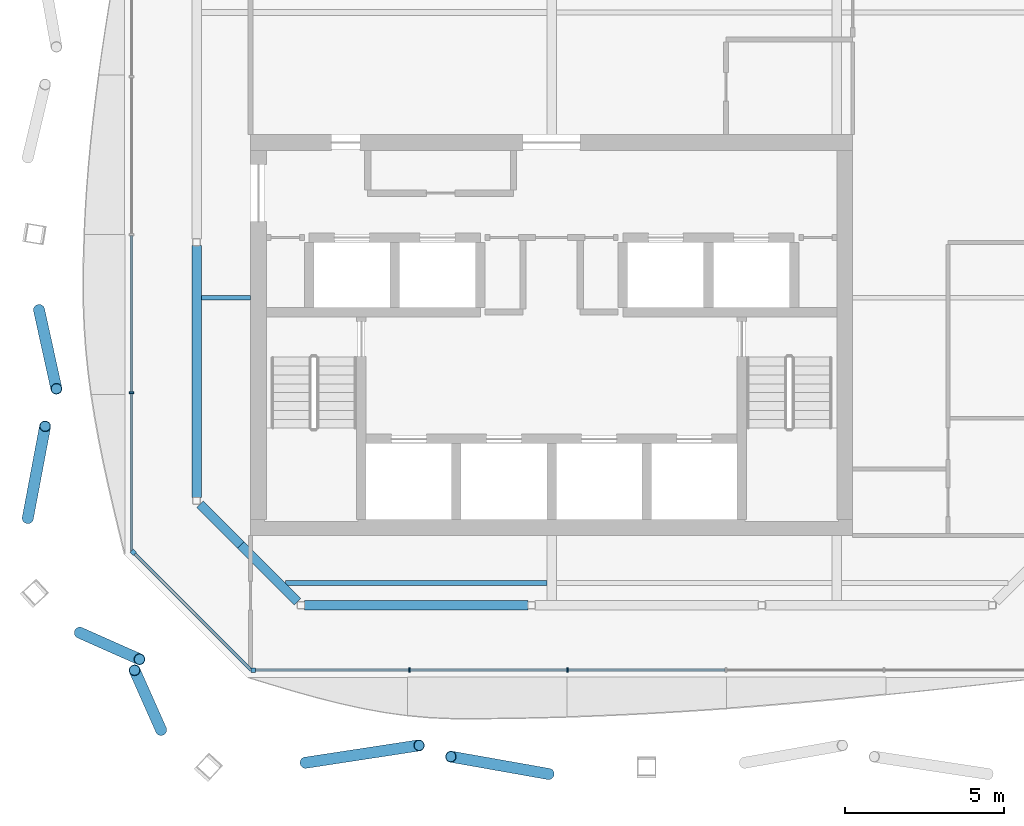
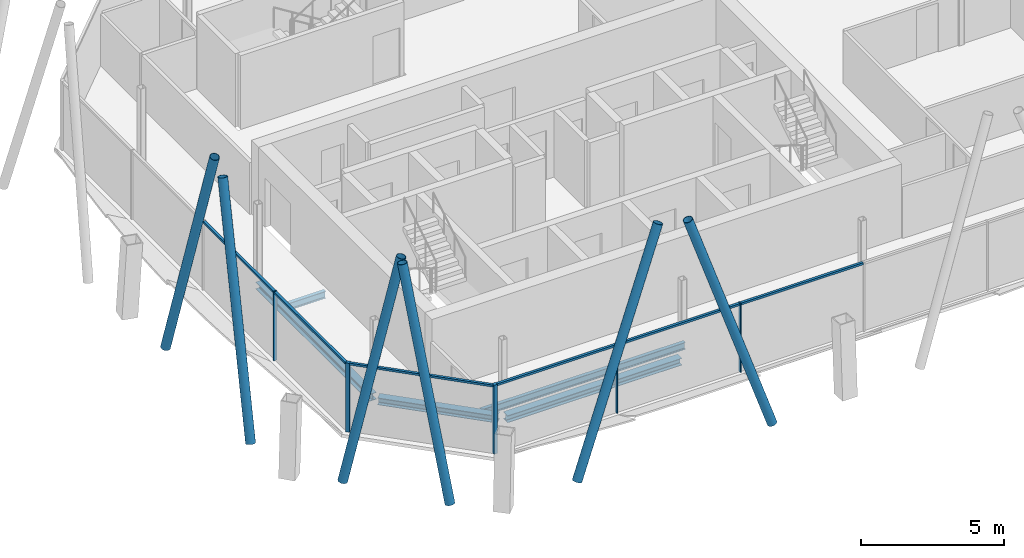
# One storey, part 3 of 14: 17 members, 6 beams, 3 elements without a shape of their own.
"""IFC4 building model written with IfcOpenShell, lengths in metres."""

from ifc_helpers import new_model, si_unit, direction, frame, origin, origin_2d, place, context, subcontext, project, spatial, rectangle, hollow_circle, i_section, extrude, material, material_profile, profile_set, type_object, element, aggregate, save


model = new_model("IFC4")

# Units and contexts
model_context = context("Model", 3, precision=1e-05, world=origin(), true_north=direction((0.0, 1.0)))
body_context = subcontext(model_context, "Body", "Model", "MODEL_VIEW")
ifc_project = project(units=[si_unit("LENGTHUNIT", "METRE"), si_unit("AREAUNIT", "SQUARE_METRE"), si_unit("VOLUMEUNIT", "CUBIC_METRE"), si_unit("PLANEANGLEUNIT", "RADIAN"), si_unit("MASSUNIT", "GRAM", prefix="KILO")], contexts=[model_context])

# Site, building, storey
site_placement = place(None, origin())
site = spatial("IfcSite", under=ifc_project, at=site_placement, CompositionType="ELEMENT")
building_placement = place(site_placement, origin())
building = spatial("IfcBuilding", under=site, at=building_placement, Name="Tskaro Facet Tower", CompositionType="ELEMENT")
storey_placement = place(building_placement, frame((0.0, 0.0, 268.949951171875)))
storey = spatial("IfcBuildingStorey", under=building, at=storey_placement, Name="L71", CompositionType="ELEMENT", Elevation=268.949951171875)

# Members
ifc_material_1 = material(Name="Steel S355J2H", Category="steel")
ifc_material_profile_1 = material_profile(ifc_material_1, hollow_circle(Radius=0.177734375, WallThickness=0.01611328125, at=origin_2d()), Name="CHS 355.6x16")
ifc_profile_set_1 = profile_set([ifc_material_profile_1], Name="Steel S355J2H")
member_type_1 = type_object("IfcMemberType", Name="CHS 355.6x16 brace", PredefinedType="BRACE", material=ifc_profile_set_1)
member_1_placement = place(storey_placement, frame((-7.766357421875, -19.16748046875, 0.0), z_axis=(0.3545147062, 0.05411775515, 0.933483043052), x_axis=(-0.150904921329, 0.98854828143, 0.0)))
element("IfcMember", 1, at=member_1_placement, inside=storey, type_object=member_type_1, Name="CHS 355.6x16 XB01A/6", PredefinedType="BRACE", context=body_context, shape_type="SweptSolid", body=[
    extrude(hollow_circle(Radius=0.177734375, WallThickness=0.01611328125, at=origin_2d()), origin(), (0.0, 0.0, 1.0), 10.123291015625),
])
member_2_placement = place(storey_placement, frame((-0.08837890625, -19.52294921875, 0.0), z_axis=(-0.310197408472, 0.054997453735, 0.949080000769), x_axis=(-0.174575605168, -0.984643772174, 0.0)))
element("IfcMember", 2, at=member_2_placement, inside=storey, type_object=member_type_1, Name="CHS 355.6x16 XB01B/6", PredefinedType="BRACE", context=body_context, shape_type="SweptSolid", body=[
    extrude(hollow_circle(Radius=0.177734375, WallThickness=0.01611328125, at=origin_2d()), origin(), (0.0, 0.0, 1.0), 9.95703125),
])
member_3_placement = place(storey_placement, frame((-16.16748046875, -4.882568359375, 0.0), z_axis=(0.05597197434, -0.254443008127, 0.965466671462), x_axis=(0.976648886415, 0.2148416921, 0.0)))
element("IfcMember", 3, at=member_3_placement, inside=storey, type_object=member_type_1, Name="CHS 355.6x16 XB11A/6", PredefinedType="BRACE", context=body_context, shape_type="SweptSolid", body=[
    extrude(hollow_circle(Radius=0.177734375, WallThickness=0.01611328125, at=origin_2d()), origin(), (0.0, 0.0, 1.0), 9.787841796875),
])
member_4_placement = place(storey_placement, frame((-16.52294921875, -11.453857421875, 0.0), z_axis=(0.055311233561, 0.293053365866, 0.954494836129), x_axis=(-0.982650566439, 0.185466612296, 0.0)))
element("IfcMember", 4, at=member_4_placement, inside=storey, type_object=member_type_1, Name="CHS 355.6x16 XB11B/6", PredefinedType="BRACE", context=body_context, shape_type="SweptSolid", body=[
    extrude(hollow_circle(Radius=0.177734375, WallThickness=0.01611328125, at=origin_2d()), origin(), (0.0, 0.0, 1.0), 9.900390625),
])
for number, where, z_axis, x_axis, name in (
    (5, (-14.882568359375, -15.06591796875, 0.0), (0.194861200578, -0.086526450205, 0.977006799323), (0.405830880761, 0.913948191212, 0.0), "CHS 355.6x16 XB12A/6"),
    (6, (-12.3173828125, -18.134033203125, 0.0), (-0.086526450205, 0.194861200578, 0.977006799323), (-0.913948191212, -0.405830880761, 0.0), "CHS 355.6x16 XB12B/6"),
):
    element("IfcMember", number, at=place(storey_placement, frame(where, z_axis=z_axis, x_axis=x_axis)), inside=storey, type_object=member_type_1, Name=name, PredefinedType="BRACE", context=body_context, shape_type="SweptSolid", body=[
        extrude(hollow_circle(Radius=0.177734375, WallThickness=0.01611328125, at=origin_2d()), origin(), (0.0, 0.0, 1.0), 9.67236328125),
    ])

# Curtain wall, member
ifc_material_2 = material(Name="Bronze anodised aluminium 6063-T6", Category="aluminium")
curtain_wall_type = type_object("IfcCurtainWallType", Name="Bronze residence curtain wall (FW3)", PredefinedType="NOTDEFINED", material=ifc_material_2)
curtain_wall_1_placement = place(storey_placement, origin())
curtain_wall_1 = element("IfcCurtainWall", 7, at=curtain_wall_1_placement, inside=storey, type_object=curtain_wall_type, Name="FW3 south facet L71", PredefinedType="NOTDEFINED")
ifc_material_profile_2 = material_profile(ifc_material_2, rectangle(XDim=0.139892578125, YDim=0.139892578125, at=origin_2d()), Name="Corner post 140x140")
ifc_profile_set_2 = profile_set([ifc_material_profile_2], Name="Bronze anodised aluminium 6063-T6")
member_type_2 = type_object("IfcMemberType", Name="FW3 bronze corner post 140x140", PredefinedType="MULLION", material=ifc_profile_set_2)
member_5_placement = place(storey_placement, frame((-9.408935546875, -16.24609375, 0.0), z_axis=(0.0, 0.0, 1.0), x_axis=(1.0, 0.0, 0.0)))
member_5 = element("IfcMember", 8, at=member_5_placement, type_object=member_type_2, Name="FW3 south corner post", PredefinedType="MULLION", context=body_context, shape_type="SweptSolid", body=[
    extrude(rectangle(XDim=0.139892578125, YDim=0.139892578125, at=origin_2d()), origin(), (0.0, 0.0, 1.0), 2.949951171875),
])

curtain_wall_2_placement = place(storey_placement, origin())
curtain_wall_2 = element("IfcCurtainWall", 9, at=curtain_wall_2_placement, inside=storey, type_object=curtain_wall_type, Name="FW3 south-west facet L71", PredefinedType="NOTDEFINED")
member_6_placement = place(storey_placement, frame((-13.196533203125, -12.528564453125, 0.0), z_axis=(0.0, 0.0, 1.0), x_axis=(0.707106781187, -0.707106781187, 0.0)))
member_6 = element("IfcMember", 10, at=member_6_placement, type_object=member_type_2, Name="FW3 south-west corner post", PredefinedType="MULLION", context=body_context, shape_type="SweptSolid", body=[
    extrude(rectangle(XDim=0.139892578125, YDim=0.139892578125, at=origin_2d()), origin(), (0.0, 0.0, 1.0), 2.949951171875),
])

# Member
ifc_material_profile_3 = material_profile(ifc_material_2, rectangle(XDim=0.050048828125, YDim=0.139892578125, at=origin_2d()), Name="Mullion 50x140")
ifc_profile_set_3 = profile_set([ifc_material_profile_3], Name="Bronze anodised aluminium 6063-T6")
member_type_3 = type_object("IfcMemberType", Name="FW3 bronze mullion 50x140", PredefinedType="MULLION", material=ifc_profile_set_3)
member_7_placement = place(storey_placement, frame((-4.4873046875, -16.24609375, 0.0), z_axis=(0.0, 0.0, 1.0), x_axis=(1.0, 0.0, 0.0)))
member_7 = element("IfcMember", 11, at=member_7_placement, type_object=member_type_3, Name="FW3 south mullion 1", PredefinedType="MULLION", context=body_context, shape_type="SweptSolid", body=[
    extrude(rectangle(XDim=0.050048828125, YDim=0.139892578125, at=origin_2d()), origin(), (0.0, 0.0, 1.0), 2.949951171875),
])

member_8_placement = place(storey_placement, frame((0.504150390625, -16.24609375, 0.0), z_axis=(0.0, 0.0, 1.0), x_axis=(1.0, 0.0, 0.0)))
member_8 = element("IfcMember", 12, at=member_8_placement, type_object=member_type_3, Name="FW3 south mullion 2", PredefinedType="MULLION", context=body_context, shape_type="SweptSolid", body=[
    extrude(rectangle(XDim=0.050048828125, YDim=0.139892578125, at=origin_2d()), origin(), (0.0, 0.0, 1.0), 2.949951171875),
])

# Curtain wall, member
curtain_wall_3_placement = place(storey_placement, origin())
curtain_wall_3 = element("IfcCurtainWall", 13, at=curtain_wall_3_placement, inside=storey, type_object=curtain_wall_type, Name="FW3 west facet L71", PredefinedType="NOTDEFINED")
member_9_placement = place(storey_placement, frame((-13.24609375, -7.4951171875, 0.0), z_axis=(0.0, 0.0, 1.0), x_axis=(0.0, -1.0, 0.0)))
member_9 = element("IfcMember", 14, at=member_9_placement, type_object=member_type_3, Name="FW3 west mullion 3", PredefinedType="MULLION", context=body_context, shape_type="SweptSolid", body=[
    extrude(rectangle(XDim=0.050048828125, YDim=0.139892578125, at=origin_2d()), origin(), (0.0, 0.0, 1.0), 2.949951171875),
])

# Member
ifc_material_profile_4 = material_profile(ifc_material_2, rectangle(XDim=0.10009765625, YDim=0.090087890625, at=origin_2d()), Name="Transom 100x90")
ifc_profile_set_4 = profile_set([ifc_material_profile_4], Name="Bronze anodised aluminium 6063-T6")
member_type_4 = type_object("IfcMemberType", Name="FW3 bronze transom 100x90", PredefinedType="USERDEFINED", material=ifc_profile_set_4)
member_10_placement = place(storey_placement, frame((-9.339111328125, -16.24609375, 2.905029296875), z_axis=(1.0, 0.0, 0.0), x_axis=(0.0, 1.0, 0.0)))
member_10 = element("IfcMember", 15, at=member_10_placement, type_object=member_type_4, Name="FW3 south transom 1.1", ObjectType="TRANSOM", PredefinedType="USERDEFINED", context=body_context, shape_type="SweptSolid", body=[
    extrude(rectangle(XDim=0.10009765625, YDim=0.090087890625, at=origin_2d()), origin(), (0.0, 0.0, 1.0), 4.82666015625),
])

member_11_placement = place(storey_placement, frame((-4.46240234375, -16.24609375, 2.905029296875), z_axis=(1.0, 0.0, 0.0), x_axis=(0.0, 1.0, 0.0)))
member_11 = element("IfcMember", 16, at=member_11_placement, type_object=member_type_4, Name="FW3 south transom 2.1", ObjectType="TRANSOM", PredefinedType="USERDEFINED", context=body_context, shape_type="SweptSolid", body=[
    extrude(rectangle(XDim=0.10009765625, YDim=0.090087890625, at=origin_2d()), origin(), (0.0, 0.0, 1.0), 4.941650390625),
])

member_12_placement = place(storey_placement, frame((0.529296875, -16.24609375, 2.905029296875), z_axis=(1.0, 0.0, 0.0), x_axis=(0.0, 1.0, 0.0)))
member_12 = element("IfcMember", 17, at=member_12_placement, type_object=member_type_4, Name="FW3 south transom 3.1", ObjectType="TRANSOM", PredefinedType="USERDEFINED", context=body_context, shape_type="SweptSolid", body=[
    extrude(rectangle(XDim=0.10009765625, YDim=0.090087890625, at=origin_2d()), origin(), (0.0, 0.0, 1.0), 4.94140625),
])

aggregate(curtain_wall_1, [member_5, member_7, member_8, member_10, member_11, member_12])

member_13_placement = place(storey_placement, frame((-13.24609375, -2.535888671875, 2.905029296875), z_axis=(0.0, -1.0, 0.0), x_axis=(1.0, 0.0, 0.0)))
member_13 = element("IfcMember", 18, at=member_13_placement, type_object=member_type_4, Name="FW3 west transom 3.1", ObjectType="TRANSOM", PredefinedType="USERDEFINED", context=body_context, shape_type="SweptSolid", body=[
    extrude(rectangle(XDim=0.10009765625, YDim=0.090087890625, at=origin_2d()), origin(), (0.0, 0.0, 1.0), 4.93408203125),
])

member_14_placement = place(storey_placement, frame((-13.24609375, -7.52001953125, 2.905029296875), z_axis=(0.0, -1.0, 0.0), x_axis=(1.0, 0.0, 0.0)))
member_14 = element("IfcMember", 19, at=member_14_placement, type_object=member_type_4, Name="FW3 west transom 4.1", ObjectType="TRANSOM", PredefinedType="USERDEFINED", context=body_context, shape_type="SweptSolid", body=[
    extrude(rectangle(XDim=0.10009765625, YDim=0.090087890625, at=origin_2d()), origin(), (0.0, 0.0, 1.0), 4.958984375),
])

aggregate(curtain_wall_3, [member_9, member_13, member_14])

member_15_placement = place(storey_placement, frame((-13.14697265625, -12.577880859375, 2.905029296875), z_axis=(0.707083249004, -0.707130312586, 0.0), x_axis=(0.707130312586, 0.707083249004, 0.0)))
member_15 = element("IfcMember", 20, at=member_15_placement, type_object=member_type_4, Name="FW3 south-west transom 1.1", ObjectType="TRANSOM", PredefinedType="USERDEFINED", context=body_context, shape_type="SweptSolid", body=[
    extrude(rectangle(XDim=0.10009765625, YDim=0.090087890625, at=origin_2d()), origin(), (0.0, 0.0, 1.0), 5.1875),
])

aggregate(curtain_wall_2, [member_6, member_15])

# Beams
ifc_material_3 = material(Name="Steel S355J2", Category="steel")
ifc_material_profile_5 = material_profile(ifc_material_3, i_section(OverallWidth=0.300048828125, OverallDepth=0.300048828125, WebThickness=0.010986328125, FlangeThickness=0.01904296875, FilletRadius=0.027099609375, at=origin_2d()), Name="HE 300 B")
ifc_profile_set_5 = profile_set([ifc_material_profile_5], Name="Steel S355J2")
beam_type_1 = type_object("IfcBeamType", Name="HE 300 B ring beam", PredefinedType="BEAM", material=ifc_profile_set_5)
beam_1_placement = place(storey_placement, frame((-7.798095703125, -14.199951171875, -0.2900390625), z_axis=(1.0, 0.0, 0.0), x_axis=(0.0, 1.0, 0.0)))
element("IfcBeam", 21, at=beam_1_placement, inside=storey, type_object=beam_type_1, Name="HE 300 B EB1-6", PredefinedType="BEAM", context=body_context, shape_type="SweptSolid", body=[
    extrude(i_section(OverallWidth=0.300048828125, OverallDepth=0.300048828125, WebThickness=0.010986328125, FlangeThickness=0.01904296875, FilletRadius=0.027099609375, at=origin_2d()), origin(), (0.0, 0.0, 1.0), 7.05908203125),
])
beam_2_placement = place(storey_placement, frame((-11.199951171875, -2.85498046875, -0.2900390625), z_axis=(0.0, -1.0, 0.0), x_axis=(1.0, 0.0, 0.0)))
element("IfcBeam", 22, at=beam_2_placement, inside=storey, type_object=beam_type_1, Name="HE 300 B EB14-6", PredefinedType="BEAM", context=body_context, shape_type="SweptSolid", body=[
    extrude(i_section(OverallWidth=0.300048828125, OverallDepth=0.300048828125, WebThickness=0.010986328125, FlangeThickness=0.01904296875, FilletRadius=0.027099609375, at=origin_2d()), origin(), (0.0, 0.0, 1.0), 7.943115234375),
])
beam_3_placement = place(storey_placement, frame((-11.089111328125, -11.013916015625, -0.2900390625), z_axis=(0.707106781187, -0.707106781187, 0.0), x_axis=(0.707106781187, 0.707106781187, 0.0)))
element("IfcBeam", 23, at=beam_3_placement, inside=storey, type_object=beam_type_1, Name="HE 300 B EB15a-6", PredefinedType="BEAM", context=body_context, shape_type="SweptSolid", body=[
    extrude(i_section(OverallWidth=0.300048828125, OverallDepth=0.300048828125, WebThickness=0.010986328125, FlangeThickness=0.01904296875, FilletRadius=0.027099609375, at=origin_2d()), origin(), (0.0, 0.0, 1.0), 1.821044921875),
])
beam_4_placement = place(storey_placement, frame((-9.801513671875, -12.301513671875, -0.2900390625), z_axis=(0.707106781187, -0.707106781187, 0.0), x_axis=(0.707106781187, 0.707106781187, 0.0)))
element("IfcBeam", 24, at=beam_4_placement, inside=storey, type_object=beam_type_1, Name="HE 300 B EB15b-6", PredefinedType="BEAM", context=body_context, shape_type="SweptSolid", body=[
    extrude(i_section(OverallWidth=0.300048828125, OverallDepth=0.300048828125, WebThickness=0.010986328125, FlangeThickness=0.01904296875, FilletRadius=0.027099609375, at=origin_2d()), origin(), (0.0, 0.0, 1.0), 2.528076171875),
])
ifc_material_profile_6 = material_profile(ifc_material_3, i_section(OverallWidth=0.14990234375, OverallDepth=0.300048828125, WebThickness=0.007080078125, FlangeThickness=0.0107421875, FilletRadius=0.014892578125, at=origin_2d()), Name="IPE 300")
ifc_profile_set_6 = profile_set([ifc_material_profile_6], Name="Steel S355J2")
beam_type_2 = type_object("IfcBeamType", Name="IPE 300 secondary beam", PredefinedType="BEAM", material=ifc_profile_set_6)
beam_5_placement = place(storey_placement, frame((-8.39111328125, -13.5, -0.2900390625), z_axis=(1.0, 0.0, 0.0), x_axis=(0.0, 1.0, 0.0)))
element("IfcBeam", 25, at=beam_5_placement, inside=storey, type_object=beam_type_2, Name="IPE 300 SB2a-1-6", PredefinedType="BEAM", context=body_context, shape_type="SweptSolid", body=[
    extrude(i_section(OverallWidth=0.14990234375, OverallDepth=0.300048828125, WebThickness=0.007080078125, FlangeThickness=0.0107421875, FilletRadius=0.014892578125, at=origin_2d()), origin(), (0.0, 0.0, 1.0), 8.2412109375),
])
beam_6_placement = place(storey_placement, frame((-11.050048828125, -4.5, -0.2900390625), z_axis=(1.0, 0.0, 0.0), x_axis=(0.0, 1.0, 0.0)))
element("IfcBeam", 26, at=beam_6_placement, inside=storey, type_object=beam_type_2, Name="IPE 300 SB3a-1-6", PredefinedType="BEAM", context=body_context, shape_type="SweptSolid", body=[
    extrude(i_section(OverallWidth=0.14990234375, OverallDepth=0.300048828125, WebThickness=0.007080078125, FlangeThickness=0.0107421875, FilletRadius=0.014892578125, at=origin_2d()), origin(), (0.0, 0.0, 1.0), 1.550048828125),
])

save(model, "model.ifc")
